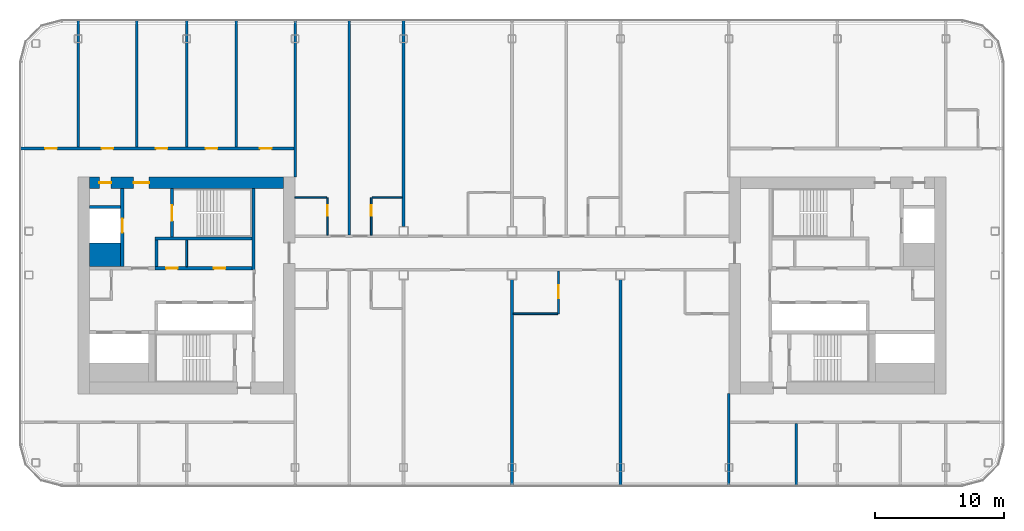
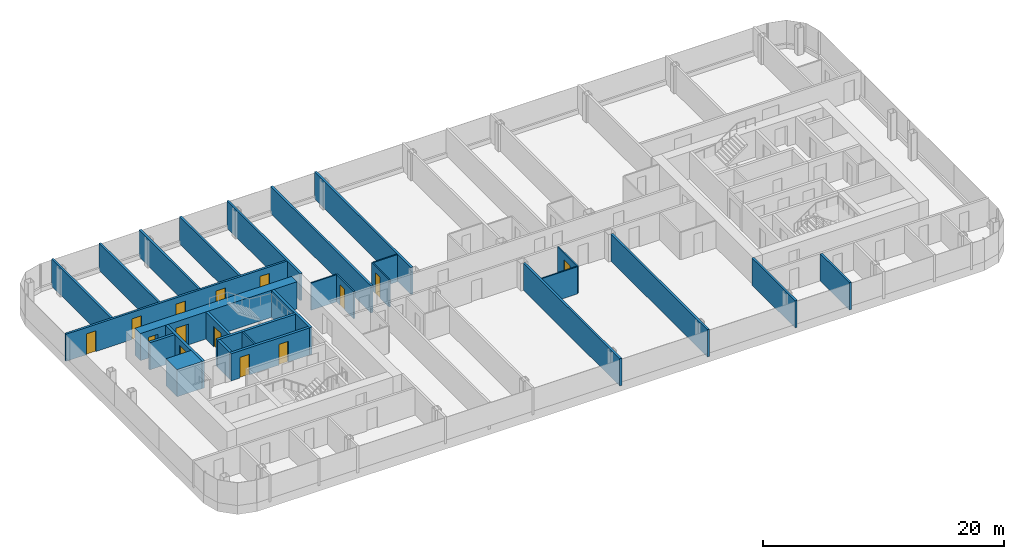
# One storey, part 14 of 26: 28 walls, 14 doors, 14 openings.
"""IFC4 building model written with IfcOpenShell, lengths in metres."""

from ifc_helpers import new_model, si_unit, direction, frame, frame_2d, origin, place, context, subcontext, project, spatial, rectangle, extrude, material, layer, layer_set, type_object, element, fill, save


model = new_model("IFC4")

# Units and contexts
model_context = context("Model", 3, precision=1e-05, world=origin(), true_north=direction((0.0, 1.0)))
body_context = subcontext(model_context, "Body", "Model", "MODEL_VIEW")
ifc_project = project(units=[si_unit("LENGTHUNIT", "METRE"), si_unit("AREAUNIT", "SQUARE_METRE"), si_unit("VOLUMEUNIT", "CUBIC_METRE"), si_unit("PLANEANGLEUNIT", "RADIAN"), si_unit("MASSUNIT", "GRAM", prefix="KILO")], contexts=[model_context])

# Site, building, storey
site_placement = place(None, origin())
site = spatial("IfcSite", under=ifc_project, at=site_placement, CompositionType="ELEMENT")
building_placement = place(site_placement, origin())
building = spatial("IfcBuilding", under=site, at=building_placement, Name="Hakoniwa Tower and Hamabe Station Hall", CompositionType="ELEMENT")
storey_placement = place(building_placement, frame((0.0, 0.0, 212.199951171875)))
storey = spatial("IfcBuildingStorey", under=building, at=storey_placement, Name="L60", CompositionType="ELEMENT", Elevation=212.199951171875)

# Walls
ifc_material_1 = material(Name="Gypsum board partition", Category="gypsum")
ifc_layer_1 = layer(ifc_material_1, 0.125)
ifc_layer_set_1 = layer_set([ifc_layer_1], Name="Bathroom Partition 125")
wall_type_1 = type_object("IfcWallType", Name="Bathroom Partition 125", PredefinedType="PARTITIONING", material=ifc_layer_set_1)
wall_1_placement = place(storey_placement, frame((0.10009765625, -2.199951171875, 0.0), z_axis=(0.0, 0.0, 1.0), x_axis=(1.0, 0.0, 0.0)))
element("IfcWall", 1, at=wall_1_placement, inside=storey, type_object=wall_type_1, Name="GW-L60-003", PredefinedType="PARTITIONING", context=body_context, shape_type="SweptSolid", body=[
    extrude(rectangle(XDim=3.4375, YDim=0.125, at=frame_2d((1.71875, 0.0))), origin(), (0.0, 0.0, 1.0), 2.75),
])
wall_2_placement = place(storey_placement, frame((-16.81005859375, 6.800048828125, 0.0), z_axis=(0.0, 0.0, 1.0), x_axis=(1.0, 0.0, 0.0)))
element("IfcWall", 2, at=wall_2_placement, inside=storey, type_object=wall_type_1, Name="GW-L60-009", PredefinedType="PARTITIONING", context=body_context, shape_type="SweptSolid", body=[
    extrude(rectangle(XDim=2.447509765625, YDim=0.125, at=frame_2d((1.2236328125, 0.0))), origin(), (0.0, 0.0, 1.0), 2.75),
])
wall_3_placement = place(storey_placement, frame((-10.83740234375, 6.800048828125, 0.0), z_axis=(0.0, 0.0, 1.0), x_axis=(1.0, 0.0, 0.0)))
element("IfcWall", 3, at=wall_3_placement, inside=storey, type_object=wall_type_1, Name="GW-L60-010", PredefinedType="PARTITIONING", context=body_context, shape_type="SweptSolid", body=[
    extrude(rectangle(XDim=2.33740234375, YDim=0.125, at=frame_2d((1.168701171875, 0.0))), origin(), (0.0, 0.0, 1.0), 2.75),
])

# Wall, opening, door
wall_4_placement = place(storey_placement, frame((-14.300048828125, 3.89990234375, 0.0), z_axis=(0.0, 0.0, 1.0), x_axis=(0.0, 1.0, 0.0)))
wall_4 = element("IfcWall", 4, at=wall_4_placement, inside=storey, type_object=wall_type_1, Name="GW-L60-028", PredefinedType="PARTITIONING", context=body_context, shape_type="SweptSolid", body=[
    extrude(rectangle(XDim=2.900146484375, YDim=0.125, at=frame_2d((1.4501953125, 0.0))), origin(), (0.0, 0.0, 1.0), 2.75),
])
opening_1_placement = place(wall_4_placement, frame((1.5, 0.0, 0.0)))
opening_1 = element("IfcOpeningElement", 5, at=opening_1_placement, cuts=wall_4, Name="Opening GD-G4D1-33", PredefinedType="OPENING", context=body_context, shape_type="SweptSolid", body=[
    extrude(rectangle(XDim=0.800048828125, YDim=2.10009765625, at=frame_2d((0.39990234375, 1.050048828125))), frame((0.0, 0.072509765625, 0.0), z_axis=(0.0, -1.0, 0.0), x_axis=(1.0, 0.0, 0.0)), (0.0, 0.0, 1.0), 0.14501953125),
])
ifc_material_2 = material(Name="Timber door leaf", Category="wood")
door_type_1 = type_object("IfcDoorType", Name="Bathroom Door 800", OperationType="SINGLE_SWING_LEFT", PredefinedType="DOOR", material=ifc_material_2)
door_1_placement = place(opening_1_placement, origin())
door_1 = element("IfcDoor", 6, at=door_1_placement, inside=storey, type_object=door_type_1, Name="Door GD-G4D1-33", OperationType="SINGLE_SWING_LEFT", OverallHeight=2.10009765625, OverallWidth=0.800048828125, PredefinedType="DOOR", context=body_context, shape_type="SweptSolid", body=[
    extrude(rectangle(XDim=0.800048828125, YDim=2.10009765625, at=frame_2d((0.39990234375, 1.050048828125))), frame((0.0, 0.02490234375, 0.0), z_axis=(0.0, -1.0, 0.0), x_axis=(1.0, 0.0, 0.0)), (0.0, 0.0, 1.0), 0.050048828125),
])
fill(opening_1, door_1)

wall_5_placement = place(storey_placement, frame((-10.89990234375, 3.89990234375, 0.0), z_axis=(0.0, 0.0, 1.0), x_axis=(0.0, 1.0, 0.0)))
wall_5 = element("IfcWall", 7, at=wall_5_placement, inside=storey, type_object=wall_type_1, Name="GW-L60-032", PredefinedType="PARTITIONING", context=body_context, shape_type="SweptSolid", body=[
    extrude(rectangle(XDim=2.900146484375, YDim=0.125, at=frame_2d((1.4501953125, 0.0))), origin(), (0.0, 0.0, 1.0), 2.75),
])
opening_2_placement = place(wall_5_placement, frame((1.5, 0.0, 0.0)))
opening_2 = element("IfcOpeningElement", 8, at=opening_2_placement, cuts=wall_5, Name="Opening GD-G4D1-35", PredefinedType="OPENING", context=body_context, shape_type="SweptSolid", body=[
    extrude(rectangle(XDim=0.800048828125, YDim=2.10009765625, at=frame_2d((0.39990234375, 1.050048828125))), frame((0.0, 0.072509765625, 0.0), z_axis=(0.0, -1.0, 0.0), x_axis=(1.0, 0.0, 0.0)), (0.0, 0.0, 1.0), 0.14501953125),
])
door_2_placement = place(opening_2_placement, origin())
door_2 = element("IfcDoor", 9, at=door_2_placement, inside=storey, type_object=door_type_1, Name="Door GD-G4D1-35", OperationType="SINGLE_SWING_RIGHT", OverallHeight=2.10009765625, OverallWidth=0.800048828125, PredefinedType="DOOR", context=body_context, shape_type="SweptSolid", body=[
    extrude(rectangle(XDim=0.800048828125, YDim=2.10009765625, at=frame_2d((0.39990234375, 1.050048828125))), frame((0.0, 0.02490234375, 0.0), z_axis=(0.0, -1.0, 0.0), x_axis=(1.0, 0.0, 0.0)), (0.0, 0.0, 1.0), 0.050048828125),
])
fill(opening_2, door_2)

wall_6_placement = place(storey_placement, frame((3.60009765625, -2.199951171875, 0.0), z_axis=(0.0, 0.0, 1.0), x_axis=(0.0, 1.0, 0.0)))
wall_6 = element("IfcWall", 10, at=wall_6_placement, inside=storey, type_object=wall_type_1, Name="GW-L60-039", PredefinedType="PARTITIONING", context=body_context, shape_type="SweptSolid", body=[
    extrude(rectangle(XDim=3.300048828125, YDim=0.125, at=frame_2d((1.64990234375, 0.0))), origin(), (0.0, 0.0, 1.0), 2.75),
])
opening_3_placement = place(wall_6_placement, frame((1.199951171875, 0.0, 0.0)))
opening_3 = element("IfcOpeningElement", 11, at=opening_3_placement, cuts=wall_6, Name="Opening GD-G4D1-37", PredefinedType="OPENING", context=body_context, shape_type="SweptSolid", body=[
    extrude(rectangle(XDim=1.0, YDim=2.10009765625, at=frame_2d((0.5, 1.050048828125))), frame((0.0, 0.072509765625, 0.0), z_axis=(0.0, -1.0, 0.0), x_axis=(1.0, 0.0, 0.0)), (0.0, 0.0, 1.0), 0.14501953125),
])
ifc_material_3 = material(Name="Timber door leaf", Category="wood")
door_type_2 = type_object("IfcDoorType", Name="Accessible Bathroom Door 1000", OperationType="SINGLE_SWING_LEFT", PredefinedType="DOOR", material=ifc_material_3)
door_3_placement = place(opening_3_placement, origin())
door_3 = element("IfcDoor", 12, at=door_3_placement, inside=storey, type_object=door_type_2, Name="Door GD-G4D1-37", OperationType="SINGLE_SWING_RIGHT", OverallHeight=2.10009765625, OverallWidth=1.0, PredefinedType="DOOR", context=body_context, shape_type="SweptSolid", body=[
    extrude(rectangle(XDim=1.0, YDim=2.10009765625, at=frame_2d((0.5, 1.050048828125))), frame((0.0, 0.02490234375, 0.0), z_axis=(0.0, -1.0, 0.0), x_axis=(1.0, 0.0, 0.0)), (0.0, 0.0, 1.0), 0.050048828125),
])
fill(opening_3, door_3)

# Wall
ifc_material_4 = material(Name="Gypsum board partition")
ifc_layer_2 = layer(ifc_material_4, 0.14990234375)
ifc_layer_set_2 = layer_set([ifc_layer_2], Name="CORE PARTITION 150 EI 60")
wall_type_2 = type_object("IfcWallType", Name="CORE PARTITION 150 EI 60", PredefinedType="PARTITIONING", material=ifc_layer_set_2)
wall_7_placement = place(storey_placement, frame((-25.199951171875, 1.449951171875, 0.0), z_axis=(0.0, 0.0, 1.0), x_axis=(0.0, 1.0, 0.0)))
element("IfcWall", 13, at=wall_7_placement, inside=storey, type_object=wall_type_2, Name="Core partition PFLR0 west", PredefinedType="PARTITIONING", context=body_context, shape_type="SweptSolid", body=[
    extrude(rectangle(XDim=2.050048828125, YDim=0.14990234375, at=frame_2d((1.02490234375, 0.0))), origin(), (0.0, 0.0, 1.0), 2.75),
])

# Wall, openings, doors
ifc_material_5 = material(Name="Concrete C60", Category="concrete")
ifc_layer_3 = layer(ifc_material_5, 0.89990234375)
ifc_layer_set_3 = layer_set([ifc_layer_3], Name="CORE WALL 900 C60")
wall_type_3 = type_object("IfcWallType", Name="CORE WALL 900 C60", PredefinedType="SHEAR", material=ifc_layer_set_3)
wall_8_placement = place(storey_placement, frame((-32.699951171875, 7.949951171875, 0.0), z_axis=(0.0, 0.0, 1.0), x_axis=(1.0, 0.0, 0.0)))
wall_8 = element("IfcWall", 14, at=wall_8_placement, inside=storey, type_object=wall_type_3, Name="Core wall NORTH west", PredefinedType="SHEAR", context=body_context, shape_type="SweptSolid", body=[
    extrude(rectangle(XDim=15.0, YDim=0.89990234375, at=frame_2d((7.5, 0.0))), origin(), (0.0, 0.0, 1.0), 2.75),
])
opening_4_placement = place(wall_8_placement, frame((3.39990234375, 0.0, 0.0)))
opening_4 = element("IfcOpeningElement", 15, at=opening_4_placement, cuts=wall_8, Name="Opening CD-W-FN1-12", PredefinedType="OPENING", context=body_context, shape_type="SweptSolid", body=[
    extrude(rectangle(XDim=1.199951171875, YDim=2.10009765625, at=frame_2d((0.60009765625, 1.050048828125))), frame((0.0, 0.4599609375, 0.0), z_axis=(0.0, -1.0, 0.0), x_axis=(1.0, 0.0, 0.0)), (0.0, 0.0, 1.0), 0.919921875),
])
opening_5_placement = place(wall_8_placement, frame((0.75, 0.0, 0.0)))
opening_5 = element("IfcOpeningElement", 16, at=opening_5_placement, cuts=wall_8, Name="Opening CD-W-FN2-9", PredefinedType="OPENING", context=body_context, shape_type="SweptSolid", body=[
    extrude(rectangle(XDim=0.89990234375, YDim=2.10009765625, at=frame_2d((0.449951171875, 1.050048828125))), frame((0.0, 0.4599609375, 0.0), z_axis=(0.0, -1.0, 0.0), x_axis=(1.0, 0.0, 0.0)), (0.0, 0.0, 1.0), 0.919921875),
])
ifc_material_6 = material(Name="Steel fire door", Category="steel")
door_type_3 = type_object("IfcDoorType", Name="CORE DOOR 1200 FD60", OperationType="DOUBLE_DOOR_SINGLE_SWING", PredefinedType="DOOR", material=ifc_material_6)
door_4_placement = place(opening_4_placement, origin())
door_4 = element("IfcDoor", 17, at=door_4_placement, inside=storey, type_object=door_type_3, Name="Stair vestibule door to the fire-fighting lobby", OperationType="DOUBLE_DOOR_SINGLE_SWING", OverallHeight=2.10009765625, OverallWidth=1.199951171875, PredefinedType="DOOR", context=body_context, shape_type="SweptSolid", body=[
    extrude(rectangle(XDim=1.199951171875, YDim=2.10009765625, at=frame_2d((0.60009765625, 1.050048828125))), frame((0.0, 0.02490234375, 0.0), z_axis=(0.0, -1.0, 0.0), x_axis=(1.0, 0.0, 0.0)), (0.0, 0.0, 1.0), 0.050048828125),
])
fill(opening_4, door_4)
ifc_material_7 = material(Name="Steel fire door", Category="steel")
door_type_4 = type_object("IfcDoorType", Name="CORE DOOR 900 FD30", OperationType="NOTDEFINED", PredefinedType="DOOR", material=ifc_material_7)
door_5_placement = place(opening_5_placement, origin())
door_5 = element("IfcDoor", 18, at=door_5_placement, inside=storey, type_object=door_type_4, Name="Riser access door", OperationType="SINGLE_SWING_RIGHT", OverallHeight=2.10009765625, OverallWidth=0.89990234375, PredefinedType="DOOR", context=body_context, shape_type="SweptSolid", body=[
    extrude(rectangle(XDim=0.89990234375, YDim=2.10009765625, at=frame_2d((0.449951171875, 1.050048828125))), frame((0.0, 0.02490234375, 0.0), z_axis=(0.0, -1.0, 0.0), x_axis=(1.0, 0.0, 0.0)), (0.0, 0.0, 1.0), 0.050048828125),
])
fill(opening_5, door_5)

# Walls
ifc_material_8 = material(Name="Concrete C60", Category="concrete")
ifc_layer_4 = layer(ifc_material_8, 1.85009765625)
ifc_layer_set_4 = layer_set([ifc_layer_4], Name="CORE WEB WALL 1850 C60")
wall_type_4 = type_object("IfcWallType", Name="CORE WEB WALL 1850 C60", PredefinedType="SHEAR", material=ifc_layer_set_4)
wall_9_placement = place(storey_placement, frame((-32.699951171875, 2.375, 0.0), z_axis=(0.0, 0.0, 1.0), x_axis=(1.0, 0.0, 0.0)))
element("IfcWall", 19, at=wall_9_placement, inside=storey, type_object=wall_type_4, Name="Core wall CA west", PredefinedType="SHEAR", context=body_context, shape_type="SweptSolid", body=[
    extrude(rectangle(XDim=2.39990234375, YDim=1.85009765625, at=frame_2d((1.199951171875, 0.0))), origin(), (0.0, 0.0, 1.0), 2.75),
])
ifc_material_9 = material(Name="Concrete C60", Category="concrete")
ifc_layer_5 = layer(ifc_material_9, 0.25)
ifc_layer_set_5 = layer_set([ifc_layer_5], Name="CORE WEB WALL 250 C60")
wall_type_5 = type_object("IfcWallType", Name="CORE WEB WALL 250 C60", PredefinedType="SHEAR", material=ifc_layer_set_5)
wall_10_placement = place(storey_placement, frame((-20.02490234375, 1.199951171875, 0.0), z_axis=(0.0, 0.0, 1.0), x_axis=(0.0, 1.0, 0.0)))
element("IfcWall", 20, at=wall_10_placement, inside=storey, type_object=wall_type_5, Name="Core wall W1N west", PredefinedType="SHEAR", context=body_context, shape_type="SweptSolid", body=[
    extrude(rectangle(XDim=6.300048828125, YDim=0.25, at=frame_2d((3.14990234375, 0.0))), origin(), (0.0, 0.0, 1.0), 2.75),
])

# Wall, openings, doors
wall_11_placement = place(storey_placement, frame((-27.64990234375, 1.324951171875, 0.0), z_axis=(0.0, 0.0, 1.0), x_axis=(1.0, 0.0, 0.0)))
wall_11 = element("IfcWall", 21, at=wall_11_placement, inside=storey, type_object=wall_type_5, Name="Core wall NF west", PredefinedType="SHEAR", context=body_context, shape_type="SweptSolid", body=[
    extrude(rectangle(XDim=7.5, YDim=0.25, at=frame_2d((3.75, 0.0))), origin(), (0.0, 0.0, 1.0), 2.75),
])
opening_6_placement = place(wall_11_placement, frame((4.5625, 0.0, 0.0)))
opening_6 = element("IfcOpeningElement", 22, at=opening_6_placement, cuts=wall_11, Name="Opening CD-W-FRLR0-9", PredefinedType="OPENING", context=body_context, shape_type="SweptSolid", body=[
    extrude(rectangle(XDim=0.89990234375, YDim=2.10009765625, at=frame_2d((0.449951171875, 1.050048828125))), frame((0.0, 0.135009765625, 0.0), z_axis=(0.0, -1.0, 0.0), x_axis=(1.0, 0.0, 0.0)), (0.0, 0.0, 1.0), 0.27001953125),
])
opening_7_placement = place(wall_11_placement, frame((0.862548828125, 0.0, 0.0)))
opening_7 = element("IfcOpeningElement", 23, at=opening_7_placement, cuts=wall_11, Name="Opening CD-W-FRLR1-9", PredefinedType="OPENING", context=body_context, shape_type="SweptSolid", body=[
    extrude(rectangle(XDim=0.89990234375, YDim=2.10009765625, at=frame_2d((0.449951171875, 1.050048828125))), frame((0.0, 0.135009765625, 0.0), z_axis=(0.0, -1.0, 0.0), x_axis=(1.0, 0.0, 0.0)), (0.0, 0.0, 1.0), 0.27001953125),
])
door_6_placement = place(opening_6_placement, origin())
door_6 = element("IfcDoor", 24, at=door_6_placement, inside=storey, type_object=door_type_4, Name="Store room door", OperationType="SINGLE_SWING_LEFT", OverallHeight=2.10009765625, OverallWidth=0.89990234375, PredefinedType="DOOR", context=body_context, shape_type="SweptSolid", body=[
    extrude(rectangle(XDim=0.89990234375, YDim=2.10009765625, at=frame_2d((0.449951171875, 1.050048828125))), frame((0.0, 0.02490234375, 0.0), z_axis=(0.0, -1.0, 0.0), x_axis=(1.0, 0.0, 0.0)), (0.0, 0.0, 1.0), 0.050048828125),
])
fill(opening_6, door_6)
door_7_placement = place(opening_7_placement, origin())
door_7 = element("IfcDoor", 25, at=door_7_placement, inside=storey, type_object=door_type_4, Name="Store room door", OperationType="SINGLE_SWING_RIGHT", OverallHeight=2.10009765625, OverallWidth=0.89990234375, PredefinedType="DOOR", context=body_context, shape_type="SweptSolid", body=[
    extrude(rectangle(XDim=0.89990234375, YDim=2.10009765625, at=frame_2d((0.449951171875, 1.050048828125))), frame((0.0, 0.02490234375, 0.0), z_axis=(0.0, -1.0, 0.0), x_axis=(1.0, 0.0, 0.0)), (0.0, 0.0, 1.0), 0.050048828125),
])
fill(opening_7, door_7)

# Walls
wall_12_placement = place(storey_placement, frame((-27.52490234375, 1.449951171875, 0.0), z_axis=(0.0, 0.0, 1.0), x_axis=(0.0, 1.0, 0.0)))
element("IfcWall", 26, at=wall_12_placement, inside=storey, type_object=wall_type_5, Name="Core wall NE west", PredefinedType="SHEAR", context=body_context, shape_type="SweptSolid", body=[
    extrude(rectangle(XDim=2.050048828125, YDim=0.25, at=frame_2d((1.02490234375, 0.0))), origin(), (0.0, 0.0, 1.0), 2.75),
])
wall_13_placement = place(storey_placement, frame((-27.64990234375, 3.625, 0.0), z_axis=(0.0, 0.0, 1.0), x_axis=(1.0, 0.0, 0.0)))
element("IfcWall", 27, at=wall_13_placement, inside=storey, type_object=wall_type_5, Name="Core wall NR west", PredefinedType="SHEAR", context=body_context, shape_type="SweptSolid", body=[
    extrude(rectangle(XDim=7.5, YDim=0.25, at=frame_2d((3.75, 0.0))), origin(), (0.0, 0.0, 1.0), 2.75),
])

# Wall, opening, door
wall_14_placement = place(storey_placement, frame((-26.324951171875, 3.75, 0.0), z_axis=(0.0, 0.0, 1.0), x_axis=(0.0, 1.0, 0.0)))
wall_14 = element("IfcWall", 28, at=wall_14_placement, inside=storey, type_object=wall_type_5, Name="Core wall NSE west", PredefinedType="SHEAR", context=body_context, shape_type="SweptSolid", body=[
    extrude(rectangle(XDim=3.75, YDim=0.25, at=frame_2d((1.875, 0.0))), origin(), (0.0, 0.0, 1.0), 2.75),
])
opening_8_placement = place(wall_14_placement, frame((1.25, 0.0, 0.0)))
opening_8 = element("IfcOpeningElement", 29, at=opening_8_placement, cuts=wall_14, Name="Opening CD-W-SN-12", PredefinedType="OPENING", context=body_context, shape_type="SweptSolid", body=[
    extrude(rectangle(XDim=1.199951171875, YDim=2.10009765625, at=frame_2d((0.60009765625, 1.050048828125))), frame((0.0, 0.135009765625, 0.0), z_axis=(0.0, -1.0, 0.0), x_axis=(1.0, 0.0, 0.0)), (0.0, 0.0, 1.0), 0.27001953125),
])
door_8_placement = place(opening_8_placement, origin())
door_8 = element("IfcDoor", 30, at=door_8_placement, inside=storey, type_object=door_type_3, Name="Escape stair door", OperationType="DOUBLE_DOOR_SINGLE_SWING", OverallHeight=2.10009765625, OverallWidth=1.199951171875, PredefinedType="DOOR", context=body_context, shape_type="SweptSolid", body=[
    extrude(rectangle(XDim=1.199951171875, YDim=2.10009765625, at=frame_2d((0.60009765625, 1.050048828125))), frame((0.0, 0.02490234375, 0.0), z_axis=(0.0, -1.0, 0.0), x_axis=(1.0, 0.0, 0.0)), (0.0, 0.0, 1.0), 0.050048828125),
])
fill(opening_8, door_8)

wall_15_placement = place(storey_placement, frame((-30.175048828125, 1.449951171875, 0.0), z_axis=(0.0, 0.0, 1.0), x_axis=(0.0, 1.0, 0.0)))
wall_15 = element("IfcWall", 31, at=wall_15_placement, inside=storey, type_object=wall_type_5, Name="Core wall FFF west", PredefinedType="SHEAR", context=body_context, shape_type="SweptSolid", body=[
    extrude(rectangle(XDim=6.050048828125, YDim=0.25, at=frame_2d((3.02490234375, 0.0))), origin(), (0.0, 0.0, 1.0), 2.75),
])
opening_9_placement = place(wall_15_placement, frame((2.625, 0.0, 0.0)))
opening_9 = element("IfcOpeningElement", 32, at=opening_9_placement, cuts=wall_15, Name="Opening LD-FF1", PredefinedType="OPENING", context=body_context, shape_type="SweptSolid", body=[
    extrude(rectangle(XDim=1.10009765625, YDim=2.10009765625, at=frame_2d((0.550048828125, 1.050048828125))), frame((0.0, 0.135009765625, 0.0), z_axis=(0.0, -1.0, 0.0), x_axis=(1.0, 0.0, 0.0)), (0.0, 0.0, 1.0), 0.27001953125),
])
ifc_material_10 = material(Name="Stainless steel SUS304", Category="steel")
door_type_5 = type_object("IfcDoorType", Name="LIFT LANDING DOOR 1100 FD60", OperationType="DOUBLE_DOOR_SLIDING", PredefinedType="DOOR", material=ifc_material_10)
door_9_placement = place(opening_9_placement, origin())
door_9 = element("IfcDoor", 33, at=door_9_placement, inside=storey, type_object=door_type_5, Name="Lift landing door FF1 L60", OperationType="DOUBLE_DOOR_SLIDING", OverallHeight=2.10009765625, OverallWidth=1.10009765625, PredefinedType="DOOR", context=body_context, shape_type="SweptSolid", body=[
    extrude(rectangle(XDim=1.10009765625, YDim=2.10009765625, at=frame_2d((0.550048828125, 1.050048828125))), frame((0.0, 0.02490234375, 0.0), z_axis=(0.0, -1.0, 0.0), x_axis=(1.0, 0.0, 0.0)), (0.0, 0.0, 1.0), 0.050048828125),
])
fill(opening_9, door_9)

# Wall
wall_16_placement = place(storey_placement, frame((-32.699951171875, 6.074951171875, 0.0), z_axis=(0.0, 0.0, 1.0), x_axis=(1.0, 0.0, 0.0)))
element("IfcWall", 34, at=wall_16_placement, inside=storey, type_object=wall_type_5, Name="Core wall C2 west", PredefinedType="SHEAR", context=body_context, shape_type="SweptSolid", body=[
    extrude(rectangle(XDim=2.39990234375, YDim=0.25, at=frame_2d((1.199951171875, 0.0))), origin(), (0.0, 0.0, 1.0), 2.75),
])

# Wall, openings, doors
ifc_material_11 = material(Name="Fire-rated gypsum board partition", Category="gypsum")
ifc_layer_6 = layer(ifc_material_11, 0.199951171875)
ifc_layer_set_6 = layer_set([ifc_layer_6], Name="Corridor Wall 200")
wall_type_6 = type_object("IfcWallType", Name="Corridor Wall 200", PredefinedType="PARTITIONING", material=ifc_layer_set_6)
wall_17_placement = place(storey_placement, frame((-38.10009765625, 10.60009765625, 0.0), z_axis=(0.0, 0.0, 1.0), x_axis=(1.0, 0.0, 0.0)))
wall_17 = element("IfcWall", 35, at=wall_17_placement, inside=storey, type_object=wall_type_6, Name="GW-L60-015", PredefinedType="PARTITIONING", context=body_context, shape_type="SweptSolid", body=[
    extrude(rectangle(XDim=21.300048828125, YDim=0.199951171875, at=frame_2d((10.64990234375, 0.0))), origin(), (0.0, 0.0, 1.0), 2.75),
])
opening_10_placement = place(wall_17_placement, frame((1.949951171875, 0.0, 0.0)))
opening_10 = element("IfcOpeningElement", 36, at=opening_10_placement, cuts=wall_17, Name="Opening GD-G4D1-24", PredefinedType="OPENING", context=body_context, shape_type="SweptSolid", body=[
    extrude(rectangle(XDim=0.89990234375, YDim=2.10009765625, at=frame_2d((0.449951171875, 1.050048828125))), frame((0.0, 0.10986328125, 0.0), z_axis=(0.0, -1.0, 0.0), x_axis=(1.0, 0.0, 0.0)), (0.0, 0.0, 1.0), 0.219970703125),
])
opening_11_placement = place(wall_17_placement, frame((6.320068359375, 0.0, 0.0)))
opening_11 = element("IfcOpeningElement", 37, at=opening_11_placement, cuts=wall_17, Name="Opening GD-G4D1-25", PredefinedType="OPENING", context=body_context, shape_type="SweptSolid", body=[
    extrude(rectangle(XDim=0.89990234375, YDim=2.10009765625, at=frame_2d((0.449951171875, 1.050048828125))), frame((0.0, 0.10986328125, 0.0), z_axis=(0.0, -1.0, 0.0), x_axis=(1.0, 0.0, 0.0)), (0.0, 0.0, 1.0), 0.219970703125),
])
opening_12_placement = place(wall_17_placement, frame((10.52001953125, 0.0, 0.0)))
opening_12 = element("IfcOpeningElement", 38, at=opening_12_placement, cuts=wall_17, Name="Opening GD-G4D1-26", PredefinedType="OPENING", context=body_context, shape_type="SweptSolid", body=[
    extrude(rectangle(XDim=0.89990234375, YDim=2.10009765625, at=frame_2d((0.449951171875, 1.050048828125))), frame((0.0, 0.10986328125, 0.0), z_axis=(0.0, -1.0, 0.0), x_axis=(1.0, 0.0, 0.0)), (0.0, 0.0, 1.0), 0.219970703125),
])
opening_13_placement = place(wall_17_placement, frame((14.3798828125, 0.0, 0.0)))
opening_13 = element("IfcOpeningElement", 39, at=opening_13_placement, cuts=wall_17, Name="Opening GD-G4D1-27", PredefinedType="OPENING", context=body_context, shape_type="SweptSolid", body=[
    extrude(rectangle(XDim=0.89990234375, YDim=2.10009765625, at=frame_2d((0.449951171875, 1.050048828125))), frame((0.0, 0.10986328125, 0.0), z_axis=(0.0, -1.0, 0.0), x_axis=(1.0, 0.0, 0.0)), (0.0, 0.0, 1.0), 0.219970703125),
])
opening_14_placement = place(wall_17_placement, frame((18.580078125, 0.0, 0.0)))
opening_14 = element("IfcOpeningElement", 40, at=opening_14_placement, cuts=wall_17, Name="Opening GD-G4D1-28", PredefinedType="OPENING", context=body_context, shape_type="SweptSolid", body=[
    extrude(rectangle(XDim=0.89990234375, YDim=2.10009765625, at=frame_2d((0.449951171875, 1.050048828125))), frame((0.0, 0.10986328125, 0.0), z_axis=(0.0, -1.0, 0.0), x_axis=(1.0, 0.0, 0.0)), (0.0, 0.0, 1.0), 0.219970703125),
])
ifc_material_12 = material(Name="Timber door leaf", Category="wood")
door_type_6 = type_object("IfcDoorType", Name="Service Door 900", OperationType="SINGLE_SWING_LEFT", PredefinedType="DOOR", material=ifc_material_12)
door_10_placement = place(opening_10_placement, origin())
door_10 = element("IfcDoor", 41, at=door_10_placement, inside=storey, type_object=door_type_6, Name="Door GD-G4D1-24", OperationType="SINGLE_SWING_LEFT", OverallHeight=2.10009765625, OverallWidth=0.89990234375, PredefinedType="DOOR", context=body_context, shape_type="SweptSolid", body=[
    extrude(rectangle(XDim=0.89990234375, YDim=2.10009765625, at=frame_2d((0.449951171875, 1.050048828125))), frame((0.0, 0.02490234375, 0.0), z_axis=(0.0, -1.0, 0.0), x_axis=(1.0, 0.0, 0.0)), (0.0, 0.0, 1.0), 0.050048828125),
])
fill(opening_10, door_10)
door_11_placement = place(opening_11_placement, origin())
door_11 = element("IfcDoor", 42, at=door_11_placement, inside=storey, type_object=door_type_6, Name="Door GD-G4D1-25", OperationType="SINGLE_SWING_LEFT", OverallHeight=2.10009765625, OverallWidth=0.89990234375, PredefinedType="DOOR", context=body_context, shape_type="SweptSolid", body=[
    extrude(rectangle(XDim=0.89990234375, YDim=2.10009765625, at=frame_2d((0.449951171875, 1.050048828125))), frame((0.0, 0.02490234375, 0.0), z_axis=(0.0, -1.0, 0.0), x_axis=(1.0, 0.0, 0.0)), (0.0, 0.0, 1.0), 0.050048828125),
])
fill(opening_11, door_11)
door_12_placement = place(opening_12_placement, origin())
door_12 = element("IfcDoor", 43, at=door_12_placement, inside=storey, type_object=door_type_6, Name="Door GD-G4D1-26", OperationType="SINGLE_SWING_RIGHT", OverallHeight=2.10009765625, OverallWidth=0.89990234375, PredefinedType="DOOR", context=body_context, shape_type="SweptSolid", body=[
    extrude(rectangle(XDim=0.89990234375, YDim=2.10009765625, at=frame_2d((0.449951171875, 1.050048828125))), frame((0.0, 0.02490234375, 0.0), z_axis=(0.0, -1.0, 0.0), x_axis=(1.0, 0.0, 0.0)), (0.0, 0.0, 1.0), 0.050048828125),
])
fill(opening_12, door_12)
door_13_placement = place(opening_13_placement, origin())
door_13 = element("IfcDoor", 44, at=door_13_placement, inside=storey, type_object=door_type_6, Name="Door GD-G4D1-27", OperationType="SINGLE_SWING_LEFT", OverallHeight=2.10009765625, OverallWidth=0.89990234375, PredefinedType="DOOR", context=body_context, shape_type="SweptSolid", body=[
    extrude(rectangle(XDim=0.89990234375, YDim=2.10009765625, at=frame_2d((0.449951171875, 1.050048828125))), frame((0.0, 0.02490234375, 0.0), z_axis=(0.0, -1.0, 0.0), x_axis=(1.0, 0.0, 0.0)), (0.0, 0.0, 1.0), 0.050048828125),
])
fill(opening_13, door_13)
door_14_placement = place(opening_14_placement, origin())
door_14 = element("IfcDoor", 45, at=door_14_placement, inside=storey, type_object=door_type_6, Name="Door GD-G4D1-28", OperationType="SINGLE_SWING_RIGHT", OverallHeight=2.10009765625, OverallWidth=0.89990234375, PredefinedType="DOOR", context=body_context, shape_type="SweptSolid", body=[
    extrude(rectangle(XDim=0.89990234375, YDim=2.10009765625, at=frame_2d((0.449951171875, 1.050048828125))), frame((0.0, 0.02490234375, 0.0), z_axis=(0.0, -1.0, 0.0), x_axis=(1.0, 0.0, 0.0)), (0.0, 0.0, 1.0), 0.050048828125),
])
fill(opening_14, door_14)

# Walls
ifc_material_13 = material(Name="Fire-rated gypsum board partition", Category="gypsum")
ifc_layer_7 = layer(ifc_material_13, 0.199951171875)
ifc_layer_set_7 = layer_set([ifc_layer_7], Name="Party Wall 200")
wall_type_7 = type_object("IfcWallType", Name="Party Wall 200", PredefinedType="PARTITIONING", material=ifc_layer_set_7)
for number, where, z_axis, x_axis, name in (
    (46, (-33.60009765625, 10.699951171875, 0.0), (0.0, 0.0, 1.0), (0.0, 1.0, 0.0), "GW-L60-019"),
    (47, (-29.06005859375, 10.699951171875, 0.0), (0.0, 0.0, 1.0), (0.0, 1.0, 0.0), "GW-L60-020"),
    (48, (-25.199951171875, 10.699951171875, 0.0), (0.0, 0.0, 1.0), (0.0, 1.0, 0.0), "GW-L60-023"),
    (49, (-21.340087890625, 10.699951171875, 0.0), (0.0, 0.0, 1.0), (0.0, 1.0, 0.0), "GW-L60-024"),
):
    element("IfcWall", number, at=place(storey_placement, frame(where, z_axis=z_axis, x_axis=x_axis)), inside=storey, type_object=wall_type_7, Name=name, PredefinedType="PARTITIONING", context=body_context, shape_type="SweptSolid", body=[
        extrude(rectangle(XDim=9.85009765625, YDim=0.199951171875, at=frame_2d((4.925048828125, 0.0))), origin(), (0.0, 0.0, 1.0), 2.75),
    ])
wall_18_placement = place(storey_placement, frame((-16.800048828125, 8.389892578125, 0.0), z_axis=(0.0, 0.0, 1.0), x_axis=(0.0, 1.0, 0.0)))
element("IfcWall", 50, at=wall_18_placement, inside=storey, type_object=wall_type_7, Name="GW-L60-026", PredefinedType="PARTITIONING", context=body_context, shape_type="SweptSolid", body=[
    extrude(rectangle(XDim=12.16015625, YDim=0.199951171875, at=frame_2d((6.080078125, 0.0))), origin(), (0.0, 0.0, 1.0), 2.75),
])
wall_19_placement = place(storey_placement, frame((-12.60009765625, 3.89990234375, 0.0), z_axis=(0.0, 0.0, 1.0), x_axis=(0.0, 1.0, 0.0)))
element("IfcWall", 51, at=wall_19_placement, inside=storey, type_object=wall_type_7, Name="GW-L60-030", PredefinedType="PARTITIONING", context=body_context, shape_type="SweptSolid", body=[
    extrude(rectangle(XDim=16.650146484375, YDim=0.199951171875, at=frame_2d((8.3251953125, 0.0))), origin(), (0.0, 0.0, 1.0), 2.75),
])
for number, where, z_axis, x_axis, name in (
    (52, (-8.39990234375, 4.5400390625, 0.0), (0.0, 0.0, 1.0), (0.0, 1.0, 0.0), "GW-L60-034"),
    (53, (0.0, -15.550048828125, 0.0), (0.0, 0.0, 1.0), (0.0, 1.0, 0.0), "GW-L60-036"),
    (54, (8.39990234375, -15.550048828125, 0.0), (0.0, 0.0, 1.0), (0.0, 1.0, 0.0), "GW-L60-042"),
):
    element("IfcWall", number, at=place(storey_placement, frame(where, z_axis=z_axis, x_axis=x_axis)), inside=storey, type_object=wall_type_7, Name=name, PredefinedType="PARTITIONING", context=body_context, shape_type="SweptSolid", body=[
        extrude(rectangle(XDim=16.010009765625, YDim=0.199951171875, at=frame_2d((8.0048828125, 0.0))), origin(), (0.0, 0.0, 1.0), 2.75),
    ])
wall_20_placement = place(storey_placement, frame((16.800048828125, -15.550048828125, 0.0), z_axis=(0.0, 0.0, 1.0), x_axis=(0.0, 1.0, 0.0)))
element("IfcWall", 55, at=wall_20_placement, inside=storey, type_object=wall_type_7, Name="GW-L60-046", PredefinedType="PARTITIONING", context=body_context, shape_type="SweptSolid", body=[
    extrude(rectangle(XDim=7.16015625, YDim=0.199951171875, at=frame_2d((3.580078125, 0.0))), origin(), (0.0, 0.0, 1.0), 2.75),
])
wall_21_placement = place(storey_placement, frame((22.010009765625, -15.550048828125, 0.0), z_axis=(0.0, 0.0, 1.0), x_axis=(0.0, 1.0, 0.0)))
element("IfcWall", 56, at=wall_21_placement, inside=storey, type_object=wall_type_7, Name="GW-L60-048", PredefinedType="PARTITIONING", context=body_context, shape_type="SweptSolid", body=[
    extrude(rectangle(XDim=4.85009765625, YDim=0.199951171875, at=frame_2d((2.425048828125, 0.0))), origin(), (0.0, 0.0, 1.0), 2.75),
])

save(model, "model.ifc")
